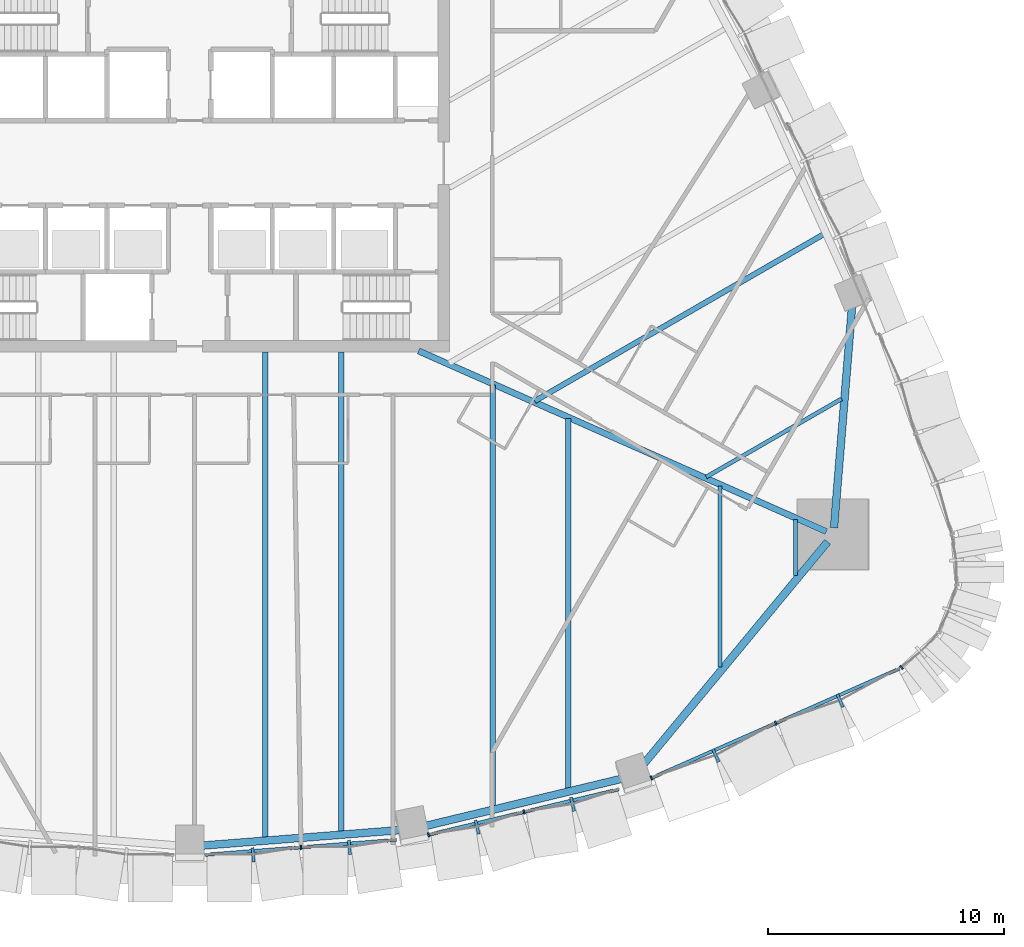
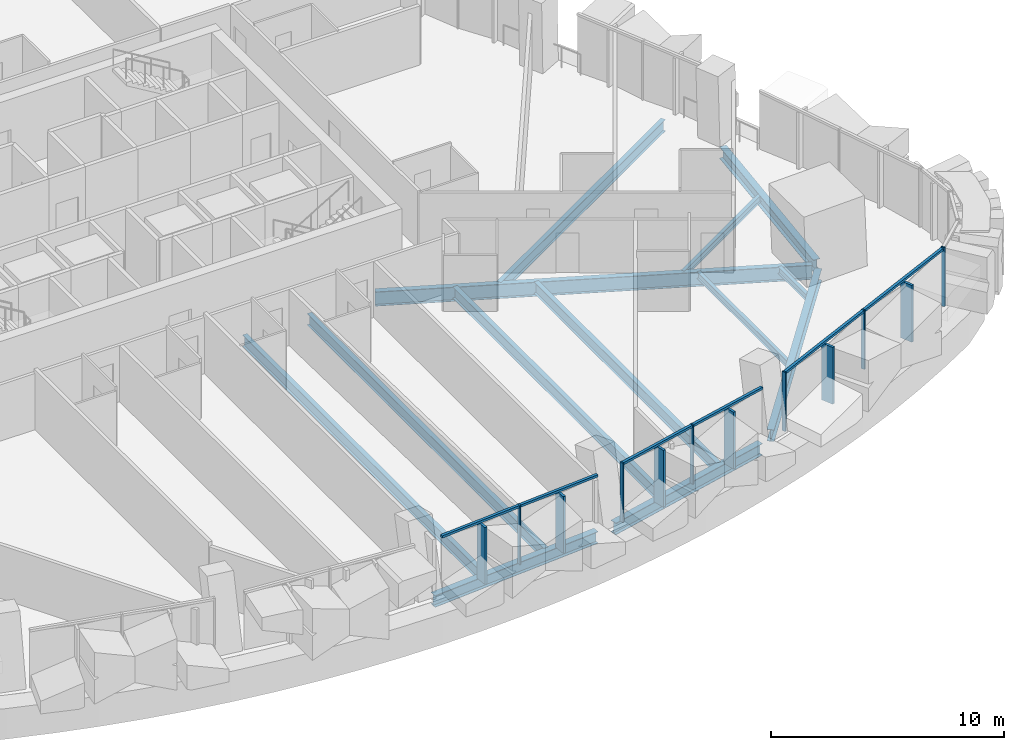
# One storey, part 4 of 27: 18 members, 13 beams, 4 elements without a shape of their own.
"""IFC4 building model written with IfcOpenShell, lengths in metres."""

from ifc_helpers import new_model, si_unit, direction, frame, origin, origin_2d, place, context, subcontext, project, spatial, rectangle, i_section, extrude, material, layer, layer_set, material_profile, profile_set, type_object, element, aggregate, save


model = new_model("IFC4")

# Units and contexts
model_context = context("Model", 3, precision=1e-05, world=origin(), true_north=direction((0.0, 1.0)))
body_context = subcontext(model_context, "Body", "Model", "MODEL_VIEW")
ifc_project = project(units=[si_unit("LENGTHUNIT", "METRE"), si_unit("AREAUNIT", "SQUARE_METRE"), si_unit("VOLUMEUNIT", "CUBIC_METRE"), si_unit("PLANEANGLEUNIT", "RADIAN"), si_unit("MASSUNIT", "GRAM", prefix="KILO")], contexts=[model_context])

# Site, building, storey
site_placement = place(None, origin())
site = spatial("IfcSite", under=ifc_project, at=site_placement, CompositionType="ELEMENT")
building_placement = place(site_placement, origin())
building = spatial("IfcBuilding", under=site, at=building_placement, Name="Sierra Prisma Convention Tower", CompositionType="ELEMENT")
storey_placement = place(building_placement, frame((0.0, 0.0, 48.0)))
storey = spatial("IfcBuildingStorey", under=building, at=storey_placement, Name="L07", CompositionType="ELEMENT", Elevation=48.0)

# Curtain wall, members
ifc_material_1 = material(Name="Aluminium and glass curtain wall", Category="aluminium")
ifc_layer = layer(ifc_material_1, 0.179931640625)
ifc_layer_set = layer_set([ifc_layer], Name="CW-2 Faceted crystal curtain wall")
curtain_wall_type = type_object("IfcCurtainWallType", Name="CW-2 Faceted crystal curtain wall", PredefinedType="NOTDEFINED", material=ifc_layer_set)
curtain_wall_1_placement = place(storey_placement, origin())
curtain_wall_1 = element("IfcCurtainWall", 1, at=curtain_wall_1_placement, inside=storey, type_object=curtain_wall_type, Name="CW-2 S4 L07", PredefinedType="NOTDEFINED")
ifc_material_2 = material(Name="Aluminium 6063-T6 bronze anodised", Category="aluminium")
ifc_material_profile_1 = material_profile(ifc_material_2, rectangle(XDim=0.1201171875, YDim=0.60009765625, at=origin_2d()), Name="ALU RIDGE BLADE 120x600")
ifc_profile_set_1 = profile_set([ifc_material_profile_1], Name="Aluminium 6063-T6 bronze anodised")
member_type_1 = type_object("IfcMemberType", Name="CW hip bronze", PredefinedType="MULLION", material=ifc_profile_set_1)
member_1_placement = place(storey_placement, frame((2.68408203125, -29.273193359375, 0.0), z_axis=(0.0, 0.0, 1.0), x_axis=(0.996986975923, 0.077569129432, 0.0)))
member_1 = element("IfcMember", 2, at=member_1_placement, type_object=member_type_1, Name="CW-2 ridge S4.1", PredefinedType="MULLION", context=body_context, shape_type="SweptSolid", body=[
    extrude(rectangle(XDim=0.1201171875, YDim=0.60009765625, at=origin_2d()), origin(), (0.0, 0.0, 1.0), 2.97998046875),
])
member_2_placement = place(storey_placement, frame((6.76171875, -28.9560546875, 0.0), z_axis=(0.0, 0.0, 1.0), x_axis=(0.996986975923, 0.077569129432, 0.0)))
member_2 = element("IfcMember", 3, at=member_2_placement, type_object=member_type_1, Name="CW-2 ridge S4.2", PredefinedType="MULLION", context=body_context, shape_type="SweptSolid", body=[
    extrude(rectangle(XDim=0.1201171875, YDim=0.60009765625, at=origin_2d()), origin(), (0.0, 0.0, 1.0), 2.97998046875),
])

curtain_wall_2_placement = place(storey_placement, origin())
curtain_wall_2 = element("IfcCurtainWall", 4, at=curtain_wall_2_placement, inside=storey, type_object=curtain_wall_type, Name="CW-2 S5 L07", PredefinedType="NOTDEFINED")
member_3_placement = place(storey_placement, frame((12.16650390625, -28.099609375, 0.0), z_axis=(0.0, 0.0, 1.0), x_axis=(0.972620113541, 0.232400763199, 0.0)))
member_3 = element("IfcMember", 5, at=member_3_placement, type_object=member_type_1, Name="CW-2 ridge S5.1", PredefinedType="MULLION", context=body_context, shape_type="SweptSolid", body=[
    extrude(rectangle(XDim=0.1201171875, YDim=0.60009765625, at=origin_2d()), origin(), (0.0, 0.0, 1.0), 2.97998046875),
])
member_4_placement = place(storey_placement, frame((16.202880859375, -27.135009765625, 0.0), z_axis=(0.0, 0.0, 1.0), x_axis=(0.972620113541, 0.232400763199, 0.0)))
member_4 = element("IfcMember", 6, at=member_4_placement, type_object=member_type_1, Name="CW-2 ridge S5.2", PredefinedType="MULLION", context=body_context, shape_type="SweptSolid", body=[
    extrude(rectangle(XDim=0.1201171875, YDim=0.60009765625, at=origin_2d()), origin(), (0.0, 0.0, 1.0), 2.97998046875),
])

curtain_wall_3_placement = place(storey_placement, origin())
curtain_wall_3 = element("IfcCurtainWall", 7, at=curtain_wall_3_placement, inside=storey, type_object=curtain_wall_type, Name="CW-2 S6 L07", PredefinedType="NOTDEFINED")
member_5_placement = place(storey_placement, frame((22.261962890625, -25.067626953125, 0.0), z_axis=(0.0, 0.0, 1.0), x_axis=(0.914996024231, 0.403462855343, 0.0)))
member_5 = element("IfcMember", 8, at=member_5_placement, type_object=member_type_1, Name="CW-2 ridge S6.1", PredefinedType="MULLION", context=body_context, shape_type="SweptSolid", body=[
    extrude(rectangle(XDim=0.1201171875, YDim=0.60009765625, at=origin_2d()), origin(), (0.0, 0.0, 1.0), 2.97998046875),
])
member_6_placement = place(storey_placement, frame((27.523681640625, -22.74755859375, 0.0), z_axis=(0.0, 0.0, 1.0), x_axis=(0.914996024231, 0.403462855343, 0.0)))
member_6 = element("IfcMember", 9, at=member_6_placement, type_object=member_type_1, Name="CW-2 ridge S6.2", PredefinedType="MULLION", context=body_context, shape_type="SweptSolid", body=[
    extrude(rectangle(XDim=0.1201171875, YDim=0.60009765625, at=origin_2d()), origin(), (0.0, 0.0, 1.0), 2.97998046875),
])

# Member
ifc_material_3 = material(Name="Aluminium 6063-T6 bronze anodised", Category="aluminium")
ifc_material_profile_2 = material_profile(ifc_material_3, rectangle(XDim=0.179931640625, YDim=0.070068359375, at=origin_2d()), Name="ALU MULLION 70x180")
ifc_profile_set_2 = profile_set([ifc_material_profile_2], Name="Aluminium 6063-T6 bronze anodised")
member_type_2 = type_object("IfcMemberType", Name="CW mullion bronze", PredefinedType="MULLION", material=ifc_profile_set_2)
member_7_placement = place(storey_placement, frame((4.710693359375, -28.95703125, 0.0), z_axis=(0.0, 0.0, 1.0), x_axis=(-0.077569129432, 0.996986975923, 0.0)))
member_7 = element("IfcMember", 10, at=member_7_placement, type_object=member_type_2, Name="CW-1 mullion S4.2", PredefinedType="MULLION", context=body_context, shape_type="SweptSolid", body=[
    extrude(rectangle(XDim=0.179931640625, YDim=0.070068359375, at=origin_2d()), origin(), (0.0, 0.0, 1.0), 3.10009765625),
])

member_8_placement = place(storey_placement, frame((10.11083984375, -28.42578125, 0.0), z_axis=(0.0, 0.0, 1.0), x_axis=(-0.232400763199, 0.972620113541, 0.0)))
member_8 = element("IfcMember", 11, at=member_8_placement, type_object=member_type_2, Name="CW-1 mullion S5.1", PredefinedType="MULLION", context=body_context, shape_type="SweptSolid", body=[
    extrude(rectangle(XDim=0.179931640625, YDim=0.070068359375, at=origin_2d()), origin(), (0.0, 0.0, 1.0), 3.10009765625),
])

member_9_placement = place(storey_placement, frame((14.1474609375, -27.461181640625, 0.0), z_axis=(0.0, 0.0, 1.0), x_axis=(-0.232400763199, 0.972620113541, 0.0)))
member_9 = element("IfcMember", 12, at=member_9_placement, type_object=member_type_2, Name="CW-1 mullion S5.2", PredefinedType="MULLION", context=body_context, shape_type="SweptSolid", body=[
    extrude(rectangle(XDim=0.179931640625, YDim=0.070068359375, at=origin_2d()), origin(), (0.0, 0.0, 1.0), 3.10009765625),
])

member_10_placement = place(storey_placement, frame((19.541015625, -26.023193359375, 0.0), z_axis=(0.0, 0.0, 1.0), x_axis=(-0.403462855343, 0.914996024231, 0.0)))
member_10 = element("IfcMember", 13, at=member_10_placement, type_object=member_type_2, Name="CW-1 mullion S6.1", PredefinedType="MULLION", context=body_context, shape_type="SweptSolid", body=[
    extrude(rectangle(XDim=0.179931640625, YDim=0.070068359375, at=origin_2d()), origin(), (0.0, 0.0, 1.0), 3.10009765625),
])

member_11_placement = place(storey_placement, frame((24.802490234375, -23.702880859375, 0.0), z_axis=(0.0, 0.0, 1.0), x_axis=(-0.403462855343, 0.914996024231, 0.0)))
member_11 = element("IfcMember", 14, at=member_11_placement, type_object=member_type_2, Name="CW-1 mullion S6.2", PredefinedType="MULLION", context=body_context, shape_type="SweptSolid", body=[
    extrude(rectangle(XDim=0.179931640625, YDim=0.070068359375, at=origin_2d()), origin(), (0.0, 0.0, 1.0), 3.10009765625),
])

# Curtain wall, member
curtain_wall_4_placement = place(storey_placement, origin())
curtain_wall_4 = element("IfcCurtainWall", 15, at=curtain_wall_4_placement, inside=storey, type_object=curtain_wall_type, Name="CW-2 SE1 L07", PredefinedType="NOTDEFINED")
member_12_placement = place(storey_placement, frame((30.1220703125, -21.344970703125, 0.0), z_axis=(0.0, 0.0, 1.0), x_axis=(-0.677936668169, 0.73512031257, 0.0)))
member_12 = element("IfcMember", 16, at=member_12_placement, type_object=member_type_2, Name="CW-1 mullion SE1.1", PredefinedType="MULLION", context=body_context, shape_type="SweptSolid", body=[
    extrude(rectangle(XDim=0.179931640625, YDim=0.070068359375, at=origin_2d()), origin(), (0.0, 0.0, 1.0), 3.10009765625),
])
aggregate(curtain_wall_4, [member_12])

# Member
ifc_material_4 = material(Name="Aluminium 6063-T6 bronze anodised", Category="aluminium")
ifc_material_profile_3 = material_profile(ifc_material_4, rectangle(XDim=0.139892578125, YDim=0.1201171875, at=origin_2d()), Name="ALU TRANSOM 120x140")
ifc_profile_set_3 = profile_set([ifc_material_profile_3], Name="Aluminium 6063-T6 bronze anodised")
member_type_3 = type_object("IfcMemberType", Name="CW transom bronze", PredefinedType="USERDEFINED", material=ifc_profile_set_3)
member_13_placement = place(storey_placement, frame((0.66796875, -29.271484375, 3.0400390625), z_axis=(0.996988023839, 0.077555659506, 0.0), x_axis=(-0.077555659506, 0.996988023839, 0.0)))
member_13 = element("IfcMember", 17, at=member_13_placement, type_object=member_type_3, Name="CW-1 transom S4.1", ObjectType="TRANSOM", PredefinedType="USERDEFINED", context=body_context, shape_type="SweptSolid", body=[
    extrude(rectangle(XDim=0.139892578125, YDim=0.1201171875, at=origin_2d()), origin(), (0.0, 0.0, 1.0), 4.02001953125),
])

member_14_placement = place(storey_placement, frame((4.74560546875, -28.954345703125, 3.0400390625), z_axis=(0.996982960156, 0.077620726353, 0.0), x_axis=(-0.077620726353, 0.996982960156, 0.0)))
member_14 = element("IfcMember", 18, at=member_14_placement, type_object=member_type_3, Name="CW-1 transom S4.2", ObjectType="TRANSOM", PredefinedType="USERDEFINED", context=body_context, shape_type="SweptSolid", body=[
    extrude(rectangle(XDim=0.139892578125, YDim=0.1201171875, at=origin_2d()), origin(), (0.0, 0.0, 1.0), 4.019775390625),
])

aggregate(curtain_wall_1, [member_7, member_13, member_1, member_14, member_2])

member_15_placement = place(storey_placement, frame((10.144775390625, -28.41748046875, 3.0400390625), z_axis=(0.972620362242, 0.232399722359, 0.0), x_axis=(-0.232399722359, 0.972620362242, 0.0)))
member_15 = element("IfcMember", 19, at=member_15_placement, type_object=member_type_3, Name="CW-1 transom S5.1", ObjectType="TRANSOM", PredefinedType="USERDEFINED", context=body_context, shape_type="SweptSolid", body=[
    extrude(rectangle(XDim=0.139892578125, YDim=0.1201171875, at=origin_2d()), origin(), (0.0, 0.0, 1.0), 4.080322265625),
])

member_16_placement = place(storey_placement, frame((14.181396484375, -27.453125, 3.0400390625), z_axis=(0.972620362242, 0.232399722359, 0.0), x_axis=(-0.232399722359, 0.972620362242, 0.0)))
member_16 = element("IfcMember", 20, at=member_16_placement, type_object=member_type_3, Name="CW-1 transom S5.2", ObjectType="TRANSOM", PredefinedType="USERDEFINED", context=body_context, shape_type="SweptSolid", body=[
    extrude(rectangle(XDim=0.139892578125, YDim=0.1201171875, at=origin_2d()), origin(), (0.0, 0.0, 1.0), 4.080322265625),
])

aggregate(curtain_wall_2, [member_8, member_9, member_15, member_3, member_16, member_4])

member_17_placement = place(storey_placement, frame((19.572998046875, -26.009033203125, 3.0400390625), z_axis=(0.914984545338, 0.403488886826, 0.0), x_axis=(-0.403488886826, 0.914984545338, 0.0)))
member_17 = element("IfcMember", 21, at=member_17_placement, type_object=member_type_3, Name="CW-1 transom S6.1", ObjectType="TRANSOM", PredefinedType="USERDEFINED", context=body_context, shape_type="SweptSolid", body=[
    extrude(rectangle(XDim=0.139892578125, YDim=0.1201171875, at=origin_2d()), origin(), (0.0, 0.0, 1.0), 5.680419921875),
])

member_18_placement = place(storey_placement, frame((24.834716796875, -23.68896484375, 3.0400390625), z_axis=(0.914984545338, 0.403488886826, 0.0), x_axis=(-0.403488886826, 0.914984545338, 0.0)))
member_18 = element("IfcMember", 22, at=member_18_placement, type_object=member_type_3, Name="CW-1 transom S6.2", ObjectType="TRANSOM", PredefinedType="USERDEFINED", context=body_context, shape_type="SweptSolid", body=[
    extrude(rectangle(XDim=0.139892578125, YDim=0.1201171875, at=origin_2d()), origin(), (0.0, 0.0, 1.0), 5.680419921875),
])

aggregate(curtain_wall_3, [member_10, member_11, member_17, member_5, member_18, member_6])

# Beams
ifc_material_5 = material(Name="Steel ASTM A992 Gr 50", Category="steel")
ifc_material_profile_4 = material_profile(ifc_material_5, i_section(OverallWidth=0.172119140625, OverallDepth=0.35791015625, WebThickness=0.0078125, FlangeThickness=0.01318359375, at=origin_2d()), Name="W360x57")
ifc_profile_set_4 = profile_set([ifc_material_profile_4], Name="Steel ASTM A992 Gr 50")
beam_type_1 = type_object("IfcBeamType", Name="Floor joist W360x57", PredefinedType="JOIST", material=ifc_profile_set_4)
beam_1_placement = place(storey_placement, frame((22.434326171875, -21.3330078125, -0.3291015625), z_axis=(0.0, 1.0, 0.0), x_axis=(-1.0, 0.0, 0.0)))
element("IfcBeam", 23, at=beam_1_placement, inside=storey, type_object=beam_type_1, Name="Floor joist L07 S16", PredefinedType="JOIST", context=body_context, shape_type="SweptSolid", body=[
    extrude(i_section(OverallWidth=0.172119140625, OverallDepth=0.35791015625, WebThickness=0.0078125, FlangeThickness=0.01318359375, at=origin_2d()), origin(), (0.0, 0.0, 1.0), 7.677001953125),
])
beam_2_placement = place(storey_placement, frame((25.639404296875, -17.459716796875, -0.3291015625), z_axis=(0.0, 1.0, 0.0), x_axis=(-1.0, 0.0, 0.0)))
element("IfcBeam", 24, at=beam_2_placement, inside=storey, type_object=beam_type_1, Name="Floor joist L07 S17", PredefinedType="JOIST", context=body_context, shape_type="SweptSolid", body=[
    extrude(i_section(OverallWidth=0.172119140625, OverallDepth=0.35791015625, WebThickness=0.0078125, FlangeThickness=0.01318359375, at=origin_2d()), origin(), (0.0, 0.0, 1.0), 2.3837890625),
])
beam_3_placement = place(storey_placement, frame((27.589599609375, -9.97607421875, -0.3291015625), z_axis=(-0.866020934237, -0.500007741404, 0.0), x_axis=(0.500007741404, -0.866020934237, 0.0)))
element("IfcBeam", 25, at=beam_3_placement, inside=storey, type_object=beam_type_1, Name="Floor joist L07 NE02", PredefinedType="JOIST", context=body_context, shape_type="SweptSolid", body=[
    extrude(i_section(OverallWidth=0.172119140625, OverallDepth=0.35791015625, WebThickness=0.0078125, FlangeThickness=0.01318359375, at=origin_2d()), origin(), (0.0, 0.0, 1.0), 6.61767578125),
])
ifc_material_6 = material(Name="Steel ASTM A992 Gr 50", Category="steel")
ifc_material_profile_5 = material_profile(ifc_material_6, i_section(OverallWidth=0.22802734375, OverallDepth=0.60302734375, WebThickness=0.010498046875, FlangeThickness=0.014892578125, at=origin_2d()), Name="W610x101")
ifc_profile_set_5 = profile_set([ifc_material_profile_5], Name="Steel ASTM A992 Gr 50")
beam_type_2 = type_object("IfcBeamType", Name="Floor joist W610x101", PredefinedType="JOIST", material=ifc_profile_set_5)
beam_4_placement = place(storey_placement, frame((3.204833984375, -28.5595703125, -0.451416015625), z_axis=(0.0, 1.0, 0.0), x_axis=(-1.0, 0.0, 0.0)))
element("IfcBeam", 26, at=beam_4_placement, inside=storey, type_object=beam_type_2, Name="Floor joist L07 S10", PredefinedType="JOIST", context=body_context, shape_type="SweptSolid", body=[
    extrude(i_section(OverallWidth=0.22802734375, OverallDepth=0.60302734375, WebThickness=0.010498046875, FlangeThickness=0.014892578125, at=origin_2d()), origin(), (0.0, 0.0, 1.0), 20.5595703125),
])
beam_5_placement = place(storey_placement, frame((6.409912109375, -28.308349609375, -0.451416015625), z_axis=(0.0, 1.0, 0.0), x_axis=(-1.0, 0.0, 0.0)))
element("IfcBeam", 27, at=beam_5_placement, inside=storey, type_object=beam_type_2, Name="Floor joist L07 S11", PredefinedType="JOIST", context=body_context, shape_type="SweptSolid", body=[
    extrude(i_section(OverallWidth=0.22802734375, OverallDepth=0.60302734375, WebThickness=0.010498046875, FlangeThickness=0.014892578125, at=origin_2d()), origin(), (0.0, 0.0, 1.0), 20.308349609375),
])
beam_6_placement = place(storey_placement, frame((12.819580078125, -27.250732421875, -0.451416015625), z_axis=(0.0, 1.0, 0.0), x_axis=(-1.0, 0.0, 0.0)))
element("IfcBeam", 28, at=beam_6_placement, inside=storey, type_object=beam_type_2, Name="Floor joist L07 S13", PredefinedType="JOIST", context=body_context, shape_type="SweptSolid", body=[
    extrude(i_section(OverallWidth=0.22802734375, OverallDepth=0.60302734375, WebThickness=0.010498046875, FlangeThickness=0.014892578125, at=origin_2d()), origin(), (0.0, 0.0, 1.0), 17.854736328125),
])
beam_7_placement = place(storey_placement, frame((16.024658203125, -26.4794921875, -0.451416015625), z_axis=(0.0, 1.0, 0.0), x_axis=(-1.0, 0.0, 0.0)))
element("IfcBeam", 29, at=beam_7_placement, inside=storey, type_object=beam_type_2, Name="Floor joist L07 S14", PredefinedType="JOIST", context=body_context, shape_type="SweptSolid", body=[
    extrude(i_section(OverallWidth=0.22802734375, OverallDepth=0.60302734375, WebThickness=0.010498046875, FlangeThickness=0.014892578125, at=origin_2d()), origin(), (0.0, 0.0, 1.0), 15.66357421875),
])
beam_8_placement = place(storey_placement, frame((26.828369140625, -3.01416015625, -0.451416015625), z_axis=(-0.866018222293, -0.500012438502, 0.0), x_axis=(0.500012438502, -0.866018222293, 0.0)))
element("IfcBeam", 30, at=beam_8_placement, inside=storey, type_object=beam_type_2, Name="Floor joist L07 NE04", PredefinedType="JOIST", context=body_context, shape_type="SweptSolid", body=[
    extrude(i_section(OverallWidth=0.22802734375, OverallDepth=0.60302734375, WebThickness=0.010498046875, FlangeThickness=0.014892578125, at=origin_2d()), origin(), (0.0, 0.0, 1.0), 14.114013671875),
])
ifc_material_7 = material(Name="Steel ASTM A992 Gr 50", Category="steel")
ifc_material_profile_6 = material_profile(ifc_material_7, i_section(OverallWidth=0.264892578125, OverallDepth=0.7529296875, WebThickness=0.01318359375, FlangeThickness=0.01708984375, at=origin_2d()), Name="W760x147")
ifc_profile_set_6 = profile_set([ifc_material_profile_6], Name="Steel ASTM A992 Gr 50")
beam_type_3 = type_object("IfcBeamType", Name="Radial girder W760x147", PredefinedType="BEAM", material=ifc_profile_set_6)
beam_9_placement = place(storey_placement, frame((26.94189453125, -15.59521484375, -0.526611328125), z_axis=(-0.914275670549, 0.40509257984, 0.0), x_axis=(-0.40509257984, -0.914275670549, 0.0)))
element("IfcBeam", 31, at=beam_9_placement, inside=storey, type_object=beam_type_3, Name="Radial girder L07 SE", PredefinedType="BEAM", context=body_context, shape_type="SweptSolid", body=[
    extrude(i_section(OverallWidth=0.264892578125, OverallDepth=0.7529296875, WebThickness=0.01318359375, FlangeThickness=0.01708984375, at=origin_2d()), origin(), (0.0, 0.0, 1.0), 18.869384765625),
])
ifc_material_8 = material(Name="Steel ASTM A992 Gr 50", Category="steel")
ifc_material_profile_7 = material_profile(ifc_material_8, i_section(OverallWidth=0.324951171875, OverallDepth=0.615966796875, WebThickness=0.013916015625, FlangeThickness=0.021484375, at=origin_2d()), Name="W610x174")
ifc_profile_set_7 = profile_set([ifc_material_profile_7], Name="Steel ASTM A992 Gr 50")
beam_type_4 = type_object("IfcBeamType", Name="Spandrel beam W610x174", PredefinedType="BEAM", material=ifc_profile_set_7)
beam_10_placement = place(storey_placement, frame((0.48046875, -28.885986328125, -0.4580078125), z_axis=(0.996945013958, 0.078106588356, 0.0), x_axis=(-0.078106588356, 0.996945013958, 0.0)))
element("IfcBeam", 32, at=beam_10_placement, inside=storey, type_object=beam_type_4, Name="Spandrel L07-04", PredefinedType="BEAM", context=body_context, shape_type="SweptSolid", body=[
    extrude(i_section(OverallWidth=0.324951171875, OverallDepth=0.615966796875, WebThickness=0.013916015625, FlangeThickness=0.021484375, at=origin_2d()), origin(), (0.0, 0.0, 1.0), 8.486328125),
])
beam_11_placement = place(storey_placement, frame((9.8896484375, -28.07275390625, -0.4580078125), z_axis=(0.97225419303, 0.233926877753, 0.0), x_axis=(-0.233926877753, 0.97225419303, 0.0)))
element("IfcBeam", 33, at=beam_11_placement, inside=storey, type_object=beam_type_4, Name="Spandrel L07-05", PredefinedType="BEAM", context=body_context, shape_type="SweptSolid", body=[
    extrude(i_section(OverallWidth=0.324951171875, OverallDepth=0.615966796875, WebThickness=0.013916015625, FlangeThickness=0.021484375, at=origin_2d()), origin(), (0.0, 0.0, 1.0), 8.684326171875),
])
beam_12_placement = place(storey_placement, frame((19.177490234375, -25.47412109375, -0.4580078125), z_axis=(0.637506990083, 0.770444571397, 0.0), x_axis=(-0.770444571397, 0.637506990083, 0.0)))
element("IfcBeam", 34, at=beam_12_placement, inside=storey, type_object=beam_type_4, Name="Spandrel L07-06", PredefinedType="BEAM", context=body_context, shape_type="SweptSolid", body=[
    extrude(i_section(OverallWidth=0.324951171875, OverallDepth=0.615966796875, WebThickness=0.013916015625, FlangeThickness=0.021484375, at=origin_2d()), origin(), (0.0, 0.0, 1.0), 12.260498046875),
])
beam_13_placement = place(storey_placement, frame((27.266357421875, -15.427978515625, -0.4580078125), z_axis=(0.081363587914, 0.996684486968, 0.0), x_axis=(-0.996684486968, 0.081363587914, 0.0)))
element("IfcBeam", 35, at=beam_13_placement, inside=storey, type_object=beam_type_4, Name="Spandrel L07-07", PredefinedType="BEAM", context=body_context, shape_type="SweptSolid", body=[
    extrude(i_section(OverallWidth=0.324951171875, OverallDepth=0.615966796875, WebThickness=0.013916015625, FlangeThickness=0.021484375, at=origin_2d()), origin(), (0.0, 0.0, 1.0), 9.406982421875),
])

save(model, "model.ifc")
